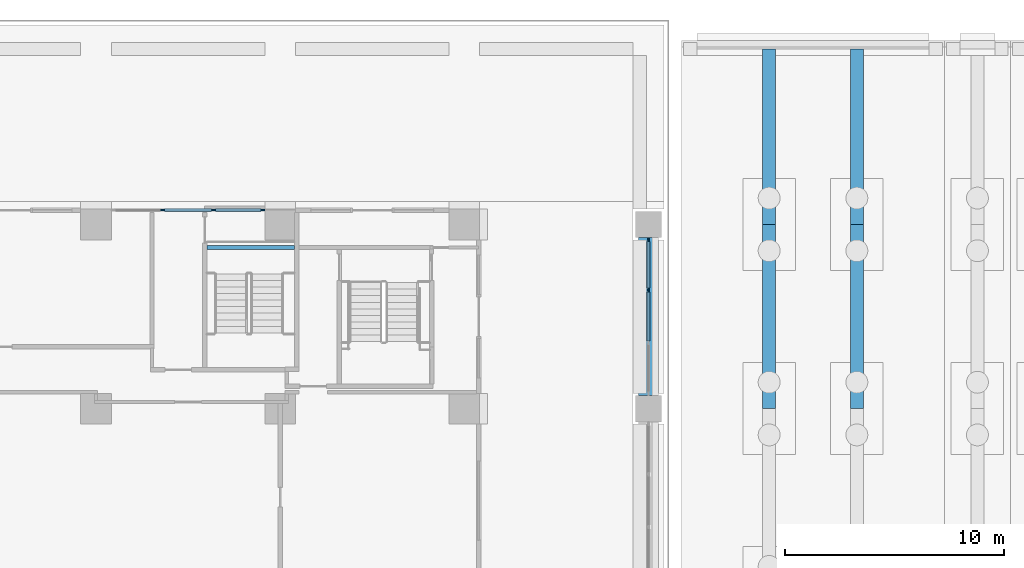
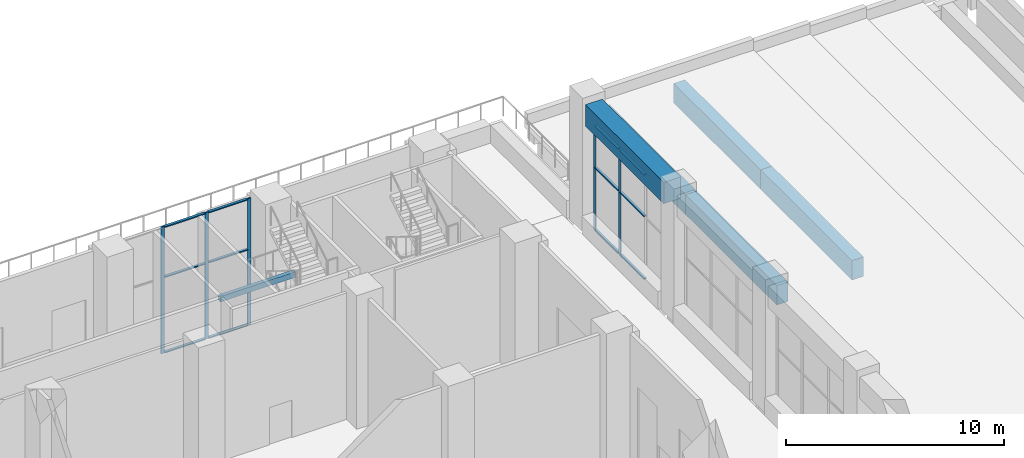
# One storey, part 13 of 53: 17 members, 6 beams, 2 elements without a shape of their own.
"""IFC4 building model written with IfcOpenShell, lengths in metres."""

from ifc_helpers import new_model, si_unit, direction, frame, origin, origin_2d, place, context, subcontext, project, spatial, rectangle, extrude, material, material_profile, profile_set, type_object, element, aggregate, save


model = new_model("IFC4")

# Units and contexts
model_context = context("Model", 3, precision=1e-05, world=origin(), true_north=direction((0.0, 1.0)))
body_context = subcontext(model_context, "Body", "Model", "MODEL_VIEW")
ifc_project = project(units=[si_unit("LENGTHUNIT", "METRE"), si_unit("AREAUNIT", "SQUARE_METRE"), si_unit("VOLUMEUNIT", "CUBIC_METRE"), si_unit("PLANEANGLEUNIT", "RADIAN"), si_unit("MASSUNIT", "GRAM", prefix="KILO")], contexts=[model_context])

# Site, building, storey
site_placement = place(None, origin())
site = spatial("IfcSite", under=ifc_project, at=site_placement, CompositionType="ELEMENT")
building_placement = place(site_placement, origin())
building = spatial("IfcBuilding", under=site, at=building_placement, Name="Vermilion Ogive Tower", CompositionType="ELEMENT")
storey_placement = place(building_placement, origin())
storey = spatial("IfcBuildingStorey", under=building, at=storey_placement, Name="L00", CompositionType="ELEMENT", Elevation=0.0)

# Beam
ifc_material_1 = material(Name="Concrete B45", Category="concrete")
ifc_material_profile_1 = material_profile(ifc_material_1, rectangle(XDim=0.89990234375, YDim=1.199951171875, at=origin_2d()), Name="RC 900x1200")
ifc_profile_set_1 = profile_set([ifc_material_profile_1], Name="Concrete B45")
beam_type_1 = type_object("IfcBeamType", Name="Arcade edge beam AB1 900x1200", PredefinedType="BEAM", material=ifc_profile_set_1)
beam_1_placement = place(storey_placement, frame((58.800048828125, 21.60009765625, 6.5), z_axis=(0.0, 1.0, 0.0), x_axis=(-1.0, 0.0, 0.0)))
element("IfcBeam", 1, at=beam_1_placement, inside=storey, type_object=beam_type_1, Name="Arcade edge beam L00 07", PredefinedType="BEAM", context=body_context, shape_type="SweptSolid", body=[
    extrude(rectangle(XDim=0.89990234375, YDim=1.199951171875, at=origin_2d()), origin(), (0.0, 0.0, 1.0), 7.199951171875),
])

# Curtain wall, members
ifc_material_2 = material(Name="Clear double glazing in aluminium frame", Category="aluminium")
curtain_wall_type_1 = type_object("IfcCurtainWallType", Name="Curtain wall CW1", PredefinedType="NOTDEFINED", material=ifc_material_2)
curtain_wall_1_placement = place(storey_placement, origin())
curtain_wall_1 = element("IfcCurtainWall", 2, at=curtain_wall_1_placement, inside=storey, type_object=curtain_wall_type_1, Name="CW1 shopfront glazing N2", PredefinedType="NOTDEFINED")
ifc_material_3 = material(Name="Aluminium mullion", Category="aluminium")
ifc_material_profile_2 = material_profile(ifc_material_3, rectangle(XDim=0.06005859375, YDim=0.179931640625, at=origin_2d()), Name="AL 60x180")
ifc_profile_set_2 = profile_set([ifc_material_profile_2], Name="Aluminium mullion")
member_type_1 = type_object("IfcMemberType", Name="CW1 mullion 60x180", PredefinedType="MULLION", material=ifc_profile_set_2)
member_1_placement = place(storey_placement, frame((41.2099609375, 30.06005859375, 0.0), z_axis=(0.0, 0.0, 1.0), x_axis=(0.0, -1.0, 0.0)))
member_1 = element("IfcMember", 3, at=member_1_placement, type_object=member_type_1, Name="CW1-N2 mullion 1", PredefinedType="MULLION", context=body_context, shape_type="SweptSolid", body=[
    extrude(rectangle(XDim=0.06005859375, YDim=0.179931640625, at=origin_2d()), origin(), (0.0, 0.0, 1.0), 7.10009765625),
])
member_2_placement = place(storey_placement, frame((38.966552734375, 30.06005859375, 0.0), z_axis=(0.0, 0.0, 1.0), x_axis=(0.0, -1.0, 0.0)))
member_2 = element("IfcMember", 4, at=member_2_placement, type_object=member_type_1, Name="CW1-N2 mullion 2", PredefinedType="MULLION", context=body_context, shape_type="SweptSolid", body=[
    extrude(rectangle(XDim=0.06005859375, YDim=0.179931640625, at=origin_2d()), origin(), (0.0, 0.0, 1.0), 7.10009765625),
])
member_3_placement = place(storey_placement, frame((36.63330078125, 30.06005859375, 0.0), z_axis=(0.0, 0.0, 1.0), x_axis=(0.0, -1.0, 0.0)))
member_3 = element("IfcMember", 5, at=member_3_placement, type_object=member_type_1, Name="CW1-N2 mullion 3", PredefinedType="MULLION", context=body_context, shape_type="SweptSolid", body=[
    extrude(rectangle(XDim=0.06005859375, YDim=0.179931640625, at=origin_2d()), origin(), (0.0, 0.0, 1.0), 7.10009765625),
])
ifc_material_4 = material(Name="Aluminium transom", Category="aluminium")
ifc_material_profile_3 = material_profile(ifc_material_4, rectangle(XDim=0.139892578125, YDim=0.06005859375, at=origin_2d()), Name="AL 60x140")
ifc_profile_set_3 = profile_set([ifc_material_profile_3], Name="Aluminium transom")
member_type_2 = type_object("IfcMemberType", Name="CW1 transom 60x140", PredefinedType="USERDEFINED", material=ifc_profile_set_3)
member_4_placement = place(storey_placement, frame((41.1201171875, 30.06005859375, 0.030029296875), z_axis=(-1.0, 0.0, 0.0), x_axis=(0.0, -1.0, 0.0)))
member_4 = element("IfcMember", 6, at=member_4_placement, type_object=member_type_2, Name="CW1-N2 transom 1.1", ObjectType="TRANSOM", PredefinedType="USERDEFINED", context=body_context, shape_type="SweptSolid", body=[
    extrude(rectangle(XDim=0.139892578125, YDim=0.06005859375, at=origin_2d()), origin(), (0.0, 0.0, 1.0), 2.0634765625),
])
member_5_placement = place(storey_placement, frame((41.1201171875, 30.06005859375, 4.260009765625), z_axis=(-1.0, 0.0, 0.0), x_axis=(0.0, -1.0, 0.0)))
member_5 = element("IfcMember", 7, at=member_5_placement, type_object=member_type_2, Name="CW1-N2 transom 1.2", ObjectType="TRANSOM", PredefinedType="USERDEFINED", context=body_context, shape_type="SweptSolid", body=[
    extrude(rectangle(XDim=0.139892578125, YDim=0.06005859375, at=origin_2d()), origin(), (0.0, 0.0, 1.0), 2.0634765625),
])
member_6_placement = place(storey_placement, frame((41.1201171875, 30.06005859375, 7.070068359375), z_axis=(-1.0, 0.0, 0.0), x_axis=(0.0, -1.0, 0.0)))
member_6 = element("IfcMember", 8, at=member_6_placement, type_object=member_type_2, Name="CW1-N2 transom 1.3", ObjectType="TRANSOM", PredefinedType="USERDEFINED", context=body_context, shape_type="SweptSolid", body=[
    extrude(rectangle(XDim=0.139892578125, YDim=0.06005859375, at=origin_2d()), origin(), (0.0, 0.0, 1.0), 2.0634765625),
])
member_7_placement = place(storey_placement, frame((38.876708984375, 30.06005859375, 0.030029296875), z_axis=(-1.0, 0.0, 0.0), x_axis=(0.0, -1.0, 0.0)))
member_7 = element("IfcMember", 9, at=member_7_placement, type_object=member_type_2, Name="CW1-N2 transom 2.1", ObjectType="TRANSOM", PredefinedType="USERDEFINED", context=body_context, shape_type="SweptSolid", body=[
    extrude(rectangle(XDim=0.139892578125, YDim=0.06005859375, at=origin_2d()), origin(), (0.0, 0.0, 1.0), 2.1533203125),
])
member_8_placement = place(storey_placement, frame((38.876708984375, 30.06005859375, 4.260009765625), z_axis=(-1.0, 0.0, 0.0), x_axis=(0.0, -1.0, 0.0)))
member_8 = element("IfcMember", 10, at=member_8_placement, type_object=member_type_2, Name="CW1-N2 transom 2.2", ObjectType="TRANSOM", PredefinedType="USERDEFINED", context=body_context, shape_type="SweptSolid", body=[
    extrude(rectangle(XDim=0.139892578125, YDim=0.06005859375, at=origin_2d()), origin(), (0.0, 0.0, 1.0), 2.1533203125),
])
member_9_placement = place(storey_placement, frame((38.876708984375, 30.06005859375, 7.070068359375), z_axis=(-1.0, 0.0, 0.0), x_axis=(0.0, -1.0, 0.0)))
member_9 = element("IfcMember", 11, at=member_9_placement, type_object=member_type_2, Name="CW1-N2 transom 2.3", ObjectType="TRANSOM", PredefinedType="USERDEFINED", context=body_context, shape_type="SweptSolid", body=[
    extrude(rectangle(XDim=0.139892578125, YDim=0.06005859375, at=origin_2d()), origin(), (0.0, 0.0, 1.0), 2.1533203125),
])
aggregate(curtain_wall_1, [member_1, member_2, member_3, member_4, member_5, member_6, member_7, member_8, member_9])

ifc_material_5 = material(Name="Clear double glazing in aluminium frame", Category="aluminium")
curtain_wall_type_2 = type_object("IfcCurtainWallType", Name="Curtain wall CW2", PredefinedType="NOTDEFINED", material=ifc_material_5)
curtain_wall_2_placement = place(storey_placement, origin())
curtain_wall_2 = element("IfcCurtainWall", 12, at=curtain_wall_2_placement, inside=storey, type_object=curtain_wall_type_2, Name="CW2 arcade glazing L00 7", PredefinedType="NOTDEFINED")
ifc_material_6 = material(Name="Aluminium mullion", Category="aluminium")
ifc_material_profile_4 = material_profile(ifc_material_6, rectangle(XDim=0.06005859375, YDim=0.179931640625, at=origin_2d()), Name="AL 60x180")
ifc_profile_set_4 = profile_set([ifc_material_profile_4], Name="Aluminium mullion")
member_type_3 = type_object("IfcMemberType", Name="CW2 mullion 60x180", PredefinedType="MULLION", material=ifc_profile_set_4)
member_10_placement = place(storey_placement, frame((58.800048828125, 26.39990234375, 0.0), z_axis=(0.0, 0.0, 1.0), x_axis=(-1.0, 0.0, 0.0)))
member_10 = element("IfcMember", 13, at=member_10_placement, type_object=member_type_3, Name="CW2-007 mullion 3", PredefinedType="MULLION", context=body_context, shape_type="SweptSolid", body=[
    extrude(rectangle(XDim=0.06005859375, YDim=0.179931640625, at=origin_2d()), origin(), (0.0, 0.0, 1.0), 5.89990234375),
])
member_11_placement = place(storey_placement, frame((58.800048828125, 28.7099609375, 0.0), z_axis=(0.0, 0.0, 1.0), x_axis=(-1.0, 0.0, 0.0)))
member_11 = element("IfcMember", 14, at=member_11_placement, type_object=member_type_3, Name="CW2-007 mullion 4", PredefinedType="MULLION", context=body_context, shape_type="SweptSolid", body=[
    extrude(rectangle(XDim=0.06005859375, YDim=0.179931640625, at=origin_2d()), origin(), (0.0, 0.0, 1.0), 5.89990234375),
])
ifc_material_7 = material(Name="Aluminium transom", Category="aluminium")
ifc_material_profile_5 = material_profile(ifc_material_7, rectangle(XDim=0.139892578125, YDim=0.06005859375, at=origin_2d()), Name="AL 60x140")
ifc_profile_set_5 = profile_set([ifc_material_profile_5], Name="Aluminium transom")
member_type_4 = type_object("IfcMemberType", Name="CW2 transom 60x140", PredefinedType="USERDEFINED", material=ifc_profile_set_5)
member_12_placement = place(storey_placement, frame((58.800048828125, 24.090087890625, 0.030029296875), z_axis=(0.0, 1.0, 0.0), x_axis=(-1.0, 0.0, 0.0)))
member_12 = element("IfcMember", 15, at=member_12_placement, type_object=member_type_4, Name="CW2-007 transom 2.1", ObjectType="TRANSOM", PredefinedType="USERDEFINED", context=body_context, shape_type="SweptSolid", body=[
    extrude(rectangle(XDim=0.139892578125, YDim=0.06005859375, at=origin_2d()), origin(), (0.0, 0.0, 1.0), 2.219970703125),
])
member_13_placement = place(storey_placement, frame((58.800048828125, 24.090087890625, 3.5400390625), z_axis=(0.0, 1.0, 0.0), x_axis=(-1.0, 0.0, 0.0)))
member_13 = element("IfcMember", 16, at=member_13_placement, type_object=member_type_4, Name="CW2-007 transom 2.2", ObjectType="TRANSOM", PredefinedType="USERDEFINED", context=body_context, shape_type="SweptSolid", body=[
    extrude(rectangle(XDim=0.139892578125, YDim=0.06005859375, at=origin_2d()), origin(), (0.0, 0.0, 1.0), 2.219970703125),
])
member_14_placement = place(storey_placement, frame((58.800048828125, 24.090087890625, 5.8701171875), z_axis=(0.0, 1.0, 0.0), x_axis=(-1.0, 0.0, 0.0)))
member_14 = element("IfcMember", 17, at=member_14_placement, type_object=member_type_4, Name="CW2-007 transom 2.3", ObjectType="TRANSOM", PredefinedType="USERDEFINED", context=body_context, shape_type="SweptSolid", body=[
    extrude(rectangle(XDim=0.139892578125, YDim=0.06005859375, at=origin_2d()), origin(), (0.0, 0.0, 1.0), 2.219970703125),
])
member_15_placement = place(storey_placement, frame((58.800048828125, 26.489990234375, 0.030029296875), z_axis=(0.0, 1.0, 0.0), x_axis=(-1.0, 0.0, 0.0)))
member_15 = element("IfcMember", 18, at=member_15_placement, type_object=member_type_4, Name="CW2-007 transom 3.1", ObjectType="TRANSOM", PredefinedType="USERDEFINED", context=body_context, shape_type="SweptSolid", body=[
    extrude(rectangle(XDim=0.139892578125, YDim=0.06005859375, at=origin_2d()), origin(), (0.0, 0.0, 1.0), 2.130126953125),
])
member_16_placement = place(storey_placement, frame((58.800048828125, 26.489990234375, 3.5400390625), z_axis=(0.0, 1.0, 0.0), x_axis=(-1.0, 0.0, 0.0)))
member_16 = element("IfcMember", 19, at=member_16_placement, type_object=member_type_4, Name="CW2-007 transom 3.2", ObjectType="TRANSOM", PredefinedType="USERDEFINED", context=body_context, shape_type="SweptSolid", body=[
    extrude(rectangle(XDim=0.139892578125, YDim=0.06005859375, at=origin_2d()), origin(), (0.0, 0.0, 1.0), 2.130126953125),
])
member_17_placement = place(storey_placement, frame((58.800048828125, 26.489990234375, 5.8701171875), z_axis=(0.0, 1.0, 0.0), x_axis=(-1.0, 0.0, 0.0)))
member_17 = element("IfcMember", 20, at=member_17_placement, type_object=member_type_4, Name="CW2-007 transom 3.3", ObjectType="TRANSOM", PredefinedType="USERDEFINED", context=body_context, shape_type="SweptSolid", body=[
    extrude(rectangle(XDim=0.139892578125, YDim=0.06005859375, at=origin_2d()), origin(), (0.0, 0.0, 1.0), 2.130126953125),
])
aggregate(curtain_wall_2, [member_10, member_11, member_12, member_13, member_14, member_15, member_16, member_17])

# Beams
ifc_material_8 = material(Name="Concrete B45", Category="concrete")
ifc_material_profile_6 = material_profile(ifc_material_8, rectangle(XDim=0.60009765625, YDim=1.10009765625, at=origin_2d()), Name="RC 600x1100")
ifc_profile_set_6 = profile_set([ifc_material_profile_6], Name="Concrete B45")
beam_type_2 = type_object("IfcBeamType", Name="Quay wharf beam QB1 600x1100", PredefinedType="BEAM", material=ifc_profile_set_6)
beam_2_placement = place(storey_placement, frame((64.300048828125, 21.0, -0.85009765625), z_axis=(0.0, 1.0, 0.0), x_axis=(-1.0, 0.0, 0.0)))
element("IfcBeam", 21, at=beam_2_placement, inside=storey, type_object=beam_type_2, Name="Quay wharf beam SITE-PROM-L0 8", PredefinedType="BEAM", context=body_context, shape_type="SweptSolid", body=[
    extrude(rectangle(XDim=0.60009765625, YDim=1.10009765625, at=origin_2d()), origin(), (0.0, 0.0, 1.0), 8.39990234375),
])
beam_3_placement = place(storey_placement, frame((64.300048828125, 29.39990234375, -0.85009765625), z_axis=(0.0, 1.0, 0.0), x_axis=(-1.0, 0.0, 0.0)))
element("IfcBeam", 22, at=beam_3_placement, inside=storey, type_object=beam_type_2, Name="Quay wharf beam SITE-PROM-L0 9", PredefinedType="BEAM", context=body_context, shape_type="SweptSolid", body=[
    extrude(rectangle(XDim=0.60009765625, YDim=1.10009765625, at=origin_2d()), origin(), (0.0, 0.0, 1.0), 8.0),
])
beam_4_placement = place(storey_placement, frame((68.300048828125, 21.0, -0.85009765625), z_axis=(0.0, 1.0, 0.0), x_axis=(-1.0, 0.0, 0.0)))
element("IfcBeam", 23, at=beam_4_placement, inside=storey, type_object=beam_type_2, Name="Quay wharf beam SITE-PROM-L1 8", PredefinedType="BEAM", context=body_context, shape_type="SweptSolid", body=[
    extrude(rectangle(XDim=0.60009765625, YDim=1.10009765625, at=origin_2d()), origin(), (0.0, 0.0, 1.0), 8.39990234375),
])
beam_5_placement = place(storey_placement, frame((68.300048828125, 29.39990234375, -0.85009765625), z_axis=(0.0, 1.0, 0.0), x_axis=(-1.0, 0.0, 0.0)))
element("IfcBeam", 24, at=beam_5_placement, inside=storey, type_object=beam_type_2, Name="Quay wharf beam SITE-PROM-L1 9", PredefinedType="BEAM", context=body_context, shape_type="SweptSolid", body=[
    extrude(rectangle(XDim=0.60009765625, YDim=1.10009765625, at=origin_2d()), origin(), (0.0, 0.0, 1.0), 8.0),
])
ifc_material_9 = material(Name="Concrete B45", Category="concrete")
ifc_material_profile_7 = material_profile(ifc_material_9, rectangle(XDim=0.199951171875, YDim=0.300048828125, at=origin_2d()), Name="RC 200x300")
ifc_profile_set_7 = profile_set([ifc_material_profile_7], Name="Concrete B45")
beam_type_3 = type_object("IfcBeamType", Name="Stair landing edge beam LB1 200x300", PredefinedType="BEAM", material=ifc_profile_set_7)
beam_6_placement = place(storey_placement, frame((38.650146484375, 28.35009765625, 3.39990234375), z_axis=(1.0, 0.0, 0.0), x_axis=(0.0, 1.0, 0.0)))
element("IfcBeam", 25, at=beam_6_placement, inside=storey, type_object=beam_type_3, Name="L00 stair landing edge beam", PredefinedType="BEAM", context=body_context, shape_type="SweptSolid", body=[
    extrude(rectangle(XDim=0.199951171875, YDim=0.300048828125, at=origin_2d()), origin(), (0.0, 0.0, 1.0), 3.999755859375),
])

save(model, "model.ifc")
